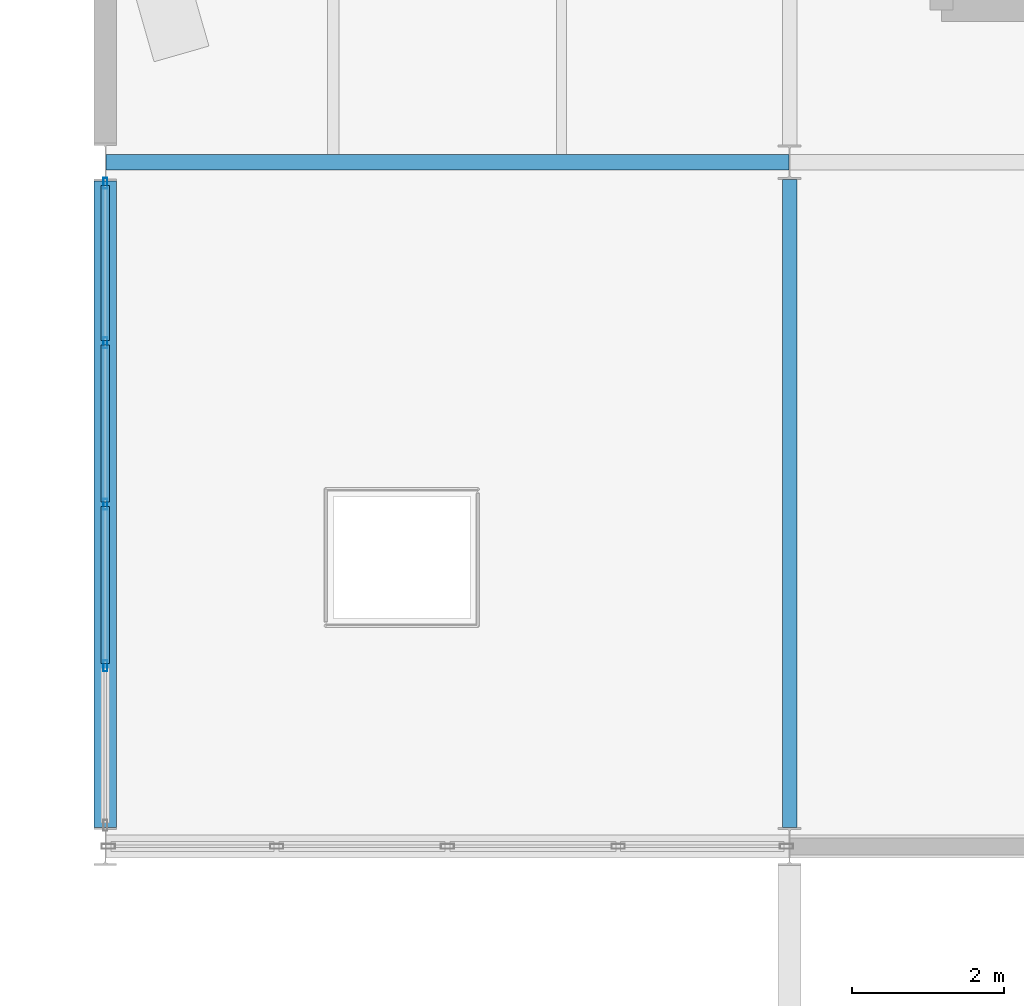
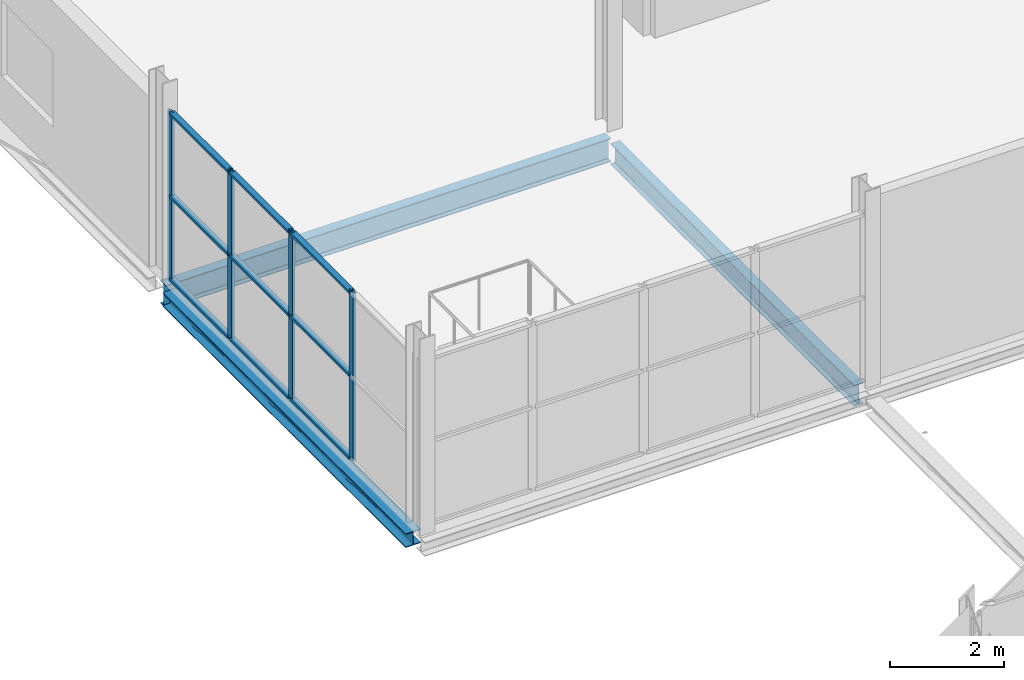
# One storey, part 45 of 135: 13 members, 3 beams, 1 element without a shape of its own.
"""IFC4 building model written with IfcOpenShell, lengths in metres."""

from ifc_helpers import new_model, si_unit, direction, frame, origin, origin_2d, place, context, subcontext, project, spatial, hollow_rectangle, i_section, extrude, material, layer, layer_set, material_profile, profile_set, type_object, element, aggregate, save


model = new_model("IFC4")

# Units and contexts
model_context = context("Model", 3, precision=1e-05, world=origin(), true_north=direction((0.0, 1.0)))
body_context = subcontext(model_context, "Body", "Model", "MODEL_VIEW")
ifc_project = project(units=[si_unit("LENGTHUNIT", "METRE"), si_unit("AREAUNIT", "SQUARE_METRE"), si_unit("VOLUMEUNIT", "CUBIC_METRE"), si_unit("PLANEANGLEUNIT", "RADIAN"), si_unit("MASSUNIT", "GRAM", prefix="KILO")], contexts=[model_context])

# Site, building, storey
site_placement = place(None, origin())
site = spatial("IfcSite", under=ifc_project, at=site_placement, CompositionType="ELEMENT")
building_placement = place(site_placement, origin())
building = spatial("IfcBuilding", under=site, at=building_placement, Name="Deido Ridge Mobility Hub", CompositionType="ELEMENT")
storey_placement = place(building_placement, frame((0.0, 0.0, 4.199951171875)))
storey = spatial("IfcBuildingStorey", under=building, at=storey_placement, Name="L01", CompositionType="ELEMENT", Elevation=4.199951171875)

# Beams
ifc_material_1 = material(Name="Steel S355J2 EN 10025-2", Category="steel")
ifc_material_profile_1 = material_profile(ifc_material_1, i_section(OverallWidth=0.18994140625, OverallDepth=0.449951171875, WebThickness=0.009521484375, FlangeThickness=0.0146484375, FilletRadius=0.02099609375, at=origin_2d()), Name="IPE 450")
ifc_profile_set_1 = profile_set([ifc_material_profile_1], Name="Steel S355J2 EN 10025-2")
beam_type_1 = type_object("IfcBeamType", Name="BM-IPE450", PredefinedType="BEAM", material=ifc_profile_set_1)
beam_1_placement = place(storey_placement, frame((9.0, 45.25, -0.474853515625), z_axis=(0.0, 1.0, 0.0), x_axis=(-1.0, 0.0, 0.0)))
element("IfcBeam", 1, at=beam_1_placement, inside=storey, type_object=beam_type_1, Name="Floor beam B4", PredefinedType="BEAM", context=body_context, shape_type="SweptSolid", body=[
    extrude(i_section(OverallWidth=0.18994140625, OverallDepth=0.449951171875, WebThickness=0.009521484375, FlangeThickness=0.0146484375, FilletRadius=0.02099609375, at=origin_2d()), origin(), (0.0, 0.0, 1.0), 8.52490234375),
])
ifc_material_profile_2 = material_profile(ifc_material_1, i_section(OverallWidth=0.199951171875, OverallDepth=0.5, WebThickness=0.01025390625, FlangeThickness=0.01611328125, FilletRadius=0.02099609375, at=origin_2d()), Name="IPE 500")
ifc_profile_set_2 = profile_set([ifc_material_profile_2], Name="Steel S355J2 EN 10025-2")
beam_type_2 = type_object("IfcBeamType", Name="BM-IPE500", PredefinedType="BEAM", material=ifc_profile_set_2)
beam_2_placement = place(storey_placement, frame((0.00732421875, 54.0, -0.5), z_axis=(1.0, 0.0, 0.0), x_axis=(0.0, 1.0, 0.0)))
element("IfcBeam", 2, at=beam_2_placement, inside=storey, type_object=beam_type_2, Name="Floor beam B3", PredefinedType="BEAM", context=body_context, shape_type="SweptSolid", body=[
    extrude(i_section(OverallWidth=0.199951171875, OverallDepth=0.5, WebThickness=0.01025390625, FlangeThickness=0.01611328125, FilletRadius=0.02099609375, at=origin_2d()), origin(), (0.0, 0.0, 1.0), 8.985595703125),
])

# Curtain wall, members
ifc_material_2 = material(Name="Anodised aluminium EN AW-6063 T6", Category="aluminium")
ifc_layer = layer(ifc_material_2, 0.179931640625, Name="Anodised aluminium EN AW-6063 T6")
ifc_layer_set = layer_set([ifc_layer], Name="Anodised aluminium EN AW-6063 T6")
curtain_wall_type = type_object("IfcCurtainWallType", Name="CW-UF-2", PredefinedType="USERDEFINED", material=ifc_layer_set)
curtain_wall_placement = place(storey_placement, origin())
curtain_wall = element("IfcCurtainWall", 3, at=curtain_wall_placement, inside=storey, type_object=curtain_wall_type, Name="Unitised curtain wall CW2", ObjectType="UNITISED FACADE", PredefinedType="USERDEFINED")
ifc_material_profile_3 = material_profile(ifc_material_2, hollow_rectangle(XDim=0.054931640625, YDim=0.14501953125, WallThickness=0.00390625, at=origin_2d()), Name="RHS 55x145x4")
ifc_profile_set_3 = profile_set([ifc_material_profile_3], Name="Anodised aluminium EN AW-6063 T6")
member_type_1 = type_object("IfcMemberType", Name="MEM-MUL-55X145", PredefinedType="MULLION", material=ifc_profile_set_3)
member_1_placement = place(storey_placement, frame((0.0, 47.375, 0.0), z_axis=(0.0, 0.0, 1.0), x_axis=(-1.0, 0.0, 0.0)))
member_1 = element("IfcMember", 4, at=member_1_placement, type_object=member_type_1, Name="CW2 mullion 2", PredefinedType="MULLION", context=body_context, shape_type="SweptSolid", body=[
    extrude(hollow_rectangle(XDim=0.054931640625, YDim=0.14501953125, WallThickness=0.00390625, at=origin_2d()), origin(), (0.0, 0.0, 1.0), 3.60009765625),
])
member_2_placement = place(storey_placement, frame((0.0, 49.5, 0.0), z_axis=(0.0, 0.0, 1.0), x_axis=(-1.0, 0.0, 0.0)))
member_2 = element("IfcMember", 5, at=member_2_placement, type_object=member_type_1, Name="CW2 mullion 3", PredefinedType="MULLION", context=body_context, shape_type="SweptSolid", body=[
    extrude(hollow_rectangle(XDim=0.054931640625, YDim=0.14501953125, WallThickness=0.00390625, at=origin_2d()), origin(), (0.0, 0.0, 1.0), 3.60009765625),
])
member_3_placement = place(storey_placement, frame((0.0, 51.625, 0.0), z_axis=(0.0, 0.0, 1.0), x_axis=(-1.0, 0.0, 0.0)))
member_3 = element("IfcMember", 6, at=member_3_placement, type_object=member_type_1, Name="CW2 mullion 4", PredefinedType="MULLION", context=body_context, shape_type="SweptSolid", body=[
    extrude(hollow_rectangle(XDim=0.054931640625, YDim=0.14501953125, WallThickness=0.00390625, at=origin_2d()), origin(), (0.0, 0.0, 1.0), 3.60009765625),
])
member_4_placement = place(storey_placement, frame((0.0, 53.722412109375, 0.0), z_axis=(0.0, 0.0, 1.0), x_axis=(-1.0, 0.0, 0.0)))
member_4 = element("IfcMember", 7, at=member_4_placement, type_object=member_type_1, Name="CW2 mullion 5", PredefinedType="MULLION", context=body_context, shape_type="SweptSolid", body=[
    extrude(hollow_rectangle(XDim=0.054931640625, YDim=0.14501953125, WallThickness=0.00390625, at=origin_2d()), origin(), (0.0, 0.0, 1.0), 3.60009765625),
])
ifc_material_profile_4 = material_profile(ifc_material_2, hollow_rectangle(XDim=0.114990234375, YDim=0.054931640625, WallThickness=0.00390625, at=origin_2d()), Name="RHS 115x55x4")
ifc_profile_set_4 = profile_set([ifc_material_profile_4], Name="Anodised aluminium EN AW-6063 T6")
member_type_2 = type_object("IfcMemberType", Name="MEM-TRN-115X55", PredefinedType="USERDEFINED", material=ifc_profile_set_4)
member_5_placement = place(storey_placement, frame((0.0, 47.402587890625, 0.027587890625), z_axis=(0.0, 1.0, 0.0), x_axis=(-1.0, 0.0, 0.0)))
member_5 = element("IfcMember", 8, at=member_5_placement, type_object=member_type_2, Name="CW2 transom 2.1", ObjectType="TRANSOM", PredefinedType="USERDEFINED", context=body_context, shape_type="SweptSolid", body=[
    extrude(hollow_rectangle(XDim=0.114990234375, YDim=0.054931640625, WallThickness=0.00390625, at=origin_2d()), origin(), (0.0, 0.0, 1.0), 2.06982421875),
])
member_6_placement = place(storey_placement, frame((0.0, 47.402587890625, 1.800048828125), z_axis=(0.0, 1.0, 0.0), x_axis=(-1.0, 0.0, 0.0)))
member_6 = element("IfcMember", 9, at=member_6_placement, type_object=member_type_2, Name="CW2 transom 2.2", ObjectType="TRANSOM", PredefinedType="USERDEFINED", context=body_context, shape_type="SweptSolid", body=[
    extrude(hollow_rectangle(XDim=0.114990234375, YDim=0.054931640625, WallThickness=0.00390625, at=origin_2d()), origin(), (0.0, 0.0, 1.0), 2.06982421875),
])
member_7_placement = place(storey_placement, frame((0.0, 47.402587890625, 3.572509765625), z_axis=(0.0, 1.0, 0.0), x_axis=(-1.0, 0.0, 0.0)))
member_7 = element("IfcMember", 10, at=member_7_placement, type_object=member_type_2, Name="CW2 transom 2.3", ObjectType="TRANSOM", PredefinedType="USERDEFINED", context=body_context, shape_type="SweptSolid", body=[
    extrude(hollow_rectangle(XDim=0.114990234375, YDim=0.054931640625, WallThickness=0.00390625, at=origin_2d()), origin(), (0.0, 0.0, 1.0), 2.06982421875),
])
member_8_placement = place(storey_placement, frame((0.0, 49.527587890625, 0.027587890625), z_axis=(0.0, 1.0, 0.0), x_axis=(-1.0, 0.0, 0.0)))
member_8 = element("IfcMember", 11, at=member_8_placement, type_object=member_type_2, Name="CW2 transom 3.1", ObjectType="TRANSOM", PredefinedType="USERDEFINED", context=body_context, shape_type="SweptSolid", body=[
    extrude(hollow_rectangle(XDim=0.114990234375, YDim=0.054931640625, WallThickness=0.00390625, at=origin_2d()), origin(), (0.0, 0.0, 1.0), 2.06982421875),
])
member_9_placement = place(storey_placement, frame((0.0, 49.527587890625, 1.800048828125), z_axis=(0.0, 1.0, 0.0), x_axis=(-1.0, 0.0, 0.0)))
member_9 = element("IfcMember", 12, at=member_9_placement, type_object=member_type_2, Name="CW2 transom 3.2", ObjectType="TRANSOM", PredefinedType="USERDEFINED", context=body_context, shape_type="SweptSolid", body=[
    extrude(hollow_rectangle(XDim=0.114990234375, YDim=0.054931640625, WallThickness=0.00390625, at=origin_2d()), origin(), (0.0, 0.0, 1.0), 2.06982421875),
])
member_10_placement = place(storey_placement, frame((0.0, 49.527587890625, 3.572509765625), z_axis=(0.0, 1.0, 0.0), x_axis=(-1.0, 0.0, 0.0)))
member_10 = element("IfcMember", 13, at=member_10_placement, type_object=member_type_2, Name="CW2 transom 3.3", ObjectType="TRANSOM", PredefinedType="USERDEFINED", context=body_context, shape_type="SweptSolid", body=[
    extrude(hollow_rectangle(XDim=0.114990234375, YDim=0.054931640625, WallThickness=0.00390625, at=origin_2d()), origin(), (0.0, 0.0, 1.0), 2.06982421875),
])
member_11_placement = place(storey_placement, frame((0.0, 51.652587890625, 0.027587890625), z_axis=(0.0, 1.0, 0.0), x_axis=(-1.0, 0.0, 0.0)))
member_11 = element("IfcMember", 14, at=member_11_placement, type_object=member_type_2, Name="CW2 transom 4.1", ObjectType="TRANSOM", PredefinedType="USERDEFINED", context=body_context, shape_type="SweptSolid", body=[
    extrude(hollow_rectangle(XDim=0.114990234375, YDim=0.054931640625, WallThickness=0.00390625, at=origin_2d()), origin(), (0.0, 0.0, 1.0), 2.04248046875),
])
member_12_placement = place(storey_placement, frame((0.0, 51.652587890625, 1.800048828125), z_axis=(0.0, 1.0, 0.0), x_axis=(-1.0, 0.0, 0.0)))
member_12 = element("IfcMember", 15, at=member_12_placement, type_object=member_type_2, Name="CW2 transom 4.2", ObjectType="TRANSOM", PredefinedType="USERDEFINED", context=body_context, shape_type="SweptSolid", body=[
    extrude(hollow_rectangle(XDim=0.114990234375, YDim=0.054931640625, WallThickness=0.00390625, at=origin_2d()), origin(), (0.0, 0.0, 1.0), 2.04248046875),
])
member_13_placement = place(storey_placement, frame((0.0, 51.652587890625, 3.572509765625), z_axis=(0.0, 1.0, 0.0), x_axis=(-1.0, 0.0, 0.0)))
member_13 = element("IfcMember", 16, at=member_13_placement, type_object=member_type_2, Name="CW2 transom 4.3", ObjectType="TRANSOM", PredefinedType="USERDEFINED", context=body_context, shape_type="SweptSolid", body=[
    extrude(hollow_rectangle(XDim=0.114990234375, YDim=0.054931640625, WallThickness=0.00390625, at=origin_2d()), origin(), (0.0, 0.0, 1.0), 2.04248046875),
])
aggregate(curtain_wall, [member_1, member_2, member_3, member_4, member_5, member_6, member_7, member_8, member_9, member_10, member_11, member_12, member_13])

# Beam
ifc_material_profile_5 = material_profile(ifc_material_1, i_section(OverallWidth=0.300048828125, OverallDepth=0.300048828125, WebThickness=0.010986328125, FlangeThickness=0.01904296875, FilletRadius=0.027099609375, at=origin_2d()), Name="HEB 300")
ifc_profile_set_5 = profile_set([ifc_material_profile_5], Name="Steel S355J2 EN 10025-2")
beam_type_3 = type_object("IfcBeamType", Name="SPD-HEB300", PredefinedType="SPANDREL", material=ifc_profile_set_5)
beam_3_placement = place(storey_placement, frame((0.0, 45.25, -0.39990234375), z_axis=(0.0, 1.0, 0.0), x_axis=(-1.0, 0.0, 0.0)))
element("IfcBeam", 17, at=beam_3_placement, inside=storey, type_object=beam_type_3, Name="Floor beam SP1", PredefinedType="SPANDREL", context=body_context, shape_type="SweptSolid", body=[
    extrude(i_section(OverallWidth=0.300048828125, OverallDepth=0.300048828125, WebThickness=0.010986328125, FlangeThickness=0.01904296875, FilletRadius=0.027099609375, at=origin_2d()), origin(), (0.0, 0.0, 1.0), 8.5),
])

save(model, "model.ifc")
